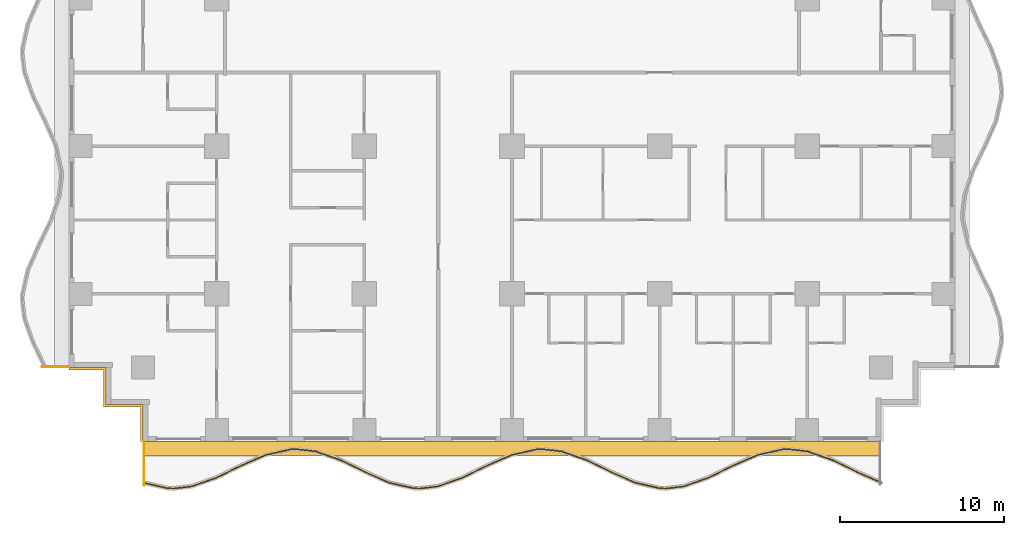
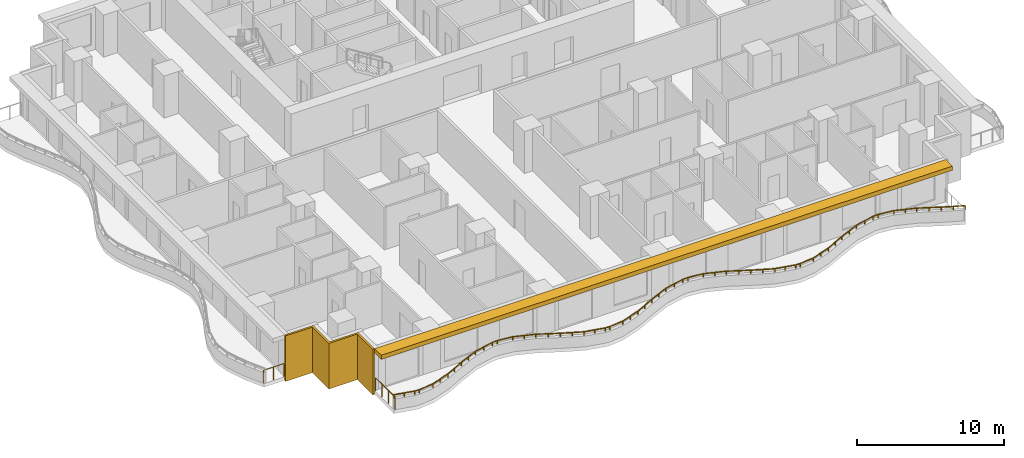
# One storey, part 8 of 14: 3 railings, 2 shading devices.
"""IFC4 building model written with IfcOpenShell, lengths in metres."""

from ifc_helpers import new_model, si_unit, direction, frame, origin, origin_2d, place, context, subcontext, project, spatial, polyline, rectangle, outline, extrude, material, layer, layer_set, type_object, element, save


model = new_model("IFC4")

# Units and contexts
model_context = context("Model", 3, precision=1e-05, world=origin(), true_north=direction((0.0, 1.0)))
body_context = subcontext(model_context, "Body", "Model", "MODEL_VIEW")
ifc_project = project(units=[si_unit("LENGTHUNIT", "METRE"), si_unit("AREAUNIT", "SQUARE_METRE"), si_unit("VOLUMEUNIT", "CUBIC_METRE"), si_unit("PLANEANGLEUNIT", "RADIAN"), si_unit("MASSUNIT", "GRAM", prefix="KILO")], contexts=[model_context])

# Site, building, storey
site_placement = place(None, origin())
site = spatial("IfcSite", under=ifc_project, at=site_placement, CompositionType="ELEMENT")
building_placement = place(site_placement, origin())
building = spatial("IfcBuilding", under=site, at=building_placement, Name="Orbiselva Terraces", CompositionType="ELEMENT")
storey_placement = place(building_placement, frame((0.0, 0.0, 49.2)))
storey = spatial("IfcBuildingStorey", under=building, at=storey_placement, Name="L12", CompositionType="ELEMENT", Elevation=49.2)

# Railings
ifc_material_1 = material(Name="Bonded two-ply safety glass balustrade, stainless steel posts", Category="steel")
railing_type_1 = type_object("IfcRailingType", Name="ENV-BALUSTRADE-1200", PredefinedType="BALUSTRADE", material=ifc_material_1)
railing_1_placement = place(storey_placement, frame((-22.472623, -25.026563, 0.9)))
element("IfcRailing", 1, at=railing_1_placement, inside=storey, type_object=railing_type_1, Name="Balcony balustrade L12 S", PredefinedType="BALUSTRADE", context=body_context, shape_type="SweptSolid", body=[
    extrude(outline(polyline([(0.028868, 0.0), (0.014434, 0.025), (-0.014434, 0.025), (-0.028868, 0.0), (-0.014434, -0.025), (0.014434, -0.025), (0.028868, 0.0)])), frame((0.0, 0.0, 0.275), z_axis=(0.975721322437, -0.21901575501, 0.0), x_axis=(0.21901575501, 0.975721322437, 0.0)), (0.0, 0.0, 1.0), 1.525954),
    extrude(outline(polyline([(0.028868, 0.0), (0.014434, 0.025), (-0.014434, 0.025), (-0.028868, 0.0), (-0.014434, -0.025), (0.014434, -0.025), (0.028868, 0.0)])), frame((1.488906, -0.334208, 0.275), z_axis=(0.999224931454, -0.039364150694, 0.0), x_axis=(0.039364150694, 0.999224931454, 0.0)), (0.0, 0.0, 1.0), 0.354206),
    extrude(outline(polyline([(0.028868, 0.0), (0.014434, 0.025), (-0.014434, 0.025), (-0.028868, 0.0), (-0.014434, -0.025), (0.014434, -0.025), (0.028868, 0.0)])), frame((1.842837, -0.348151, 0.275), z_axis=(0.993309658409, 0.115481264762, 0.0), x_axis=(-0.115481264762, 0.993309658409, 0.0)), (0.0, 0.0, 1.0), 1.10902),
    extrude(outline(polyline([(0.028868, 0.0), (0.014434, 0.025), (-0.014434, 0.025), (-0.028868, 0.0), (-0.014434, -0.025), (0.014434, -0.025), (0.028868, 0.0)])), frame((2.944437, -0.22008, 0.275), z_axis=(0.943972277814, 0.330024754707, 0.0), x_axis=(-0.330024754707, 0.943972277814, 0.0)), (0.0, 0.0, 1.0), 1.567807),
    extrude(outline(polyline([(0.028868, 0.0), (0.014434, 0.025), (-0.014434, 0.025), (-0.028868, 0.0), (-0.014434, -0.025), (0.014434, -0.025), (0.028868, 0.0)])), frame((4.424403, 0.297335, 0.275), z_axis=(0.89857890432, 0.438811978768, 0.0), x_axis=(-0.438811978768, 0.89857890432, 0.0)), (0.0, 0.0, 1.0), 1.66438),
    extrude(outline(polyline([(0.028868, 0.0), (0.014434, 0.025), (-0.014434, 0.025), (-0.028868, 0.0), (-0.014434, -0.025), (0.014434, -0.025), (0.028868, 0.0)])), frame((5.91998, 1.027685, 0.275), z_axis=(0.915133527237, 0.403150874148, 0.0), x_axis=(-0.403150874148, 0.915133527237, 0.0)), (0.0, 0.0, 1.0), 1.653736),
    extrude(outline(polyline([(0.028868, 0.0), (0.014434, 0.025), (-0.014434, 0.025), (-0.028868, 0.0), (-0.014434, -0.025), (0.014434, -0.025), (0.028868, 0.0)])), frame((7.433369, 1.69439, 0.275), z_axis=(0.97572137947, 0.219015500924, 0.0), x_axis=(-0.219015500924, 0.97572137947, 0.0)), (0.0, 0.0, 1.0), 1.560867),
    extrude(outline(polyline([(0.028868, 0.0), (0.014434, 0.025), (-0.014434, 0.025), (-0.028868, 0.0), (-0.014434, -0.025), (0.014434, -0.025), (0.028868, 0.0)])), frame((8.95634, 2.036244, 0.275), z_axis=(0.999224734286, 0.03936915532, 0.0), x_axis=(-0.03936915532, 0.999224734286, 0.0)), (0.0, 0.0, 1.0), 0.396376),
    extrude(outline(polyline([(0.028868, 0.0), (0.014434, 0.025), (-0.014434, 0.025), (-0.028868, 0.0), (-0.014434, -0.025), (0.014434, -0.025), (0.028868, 0.0)])), frame((9.352409, 2.051849, 0.275), z_axis=(0.993309551734, -0.115482182324, 0.0), x_axis=(0.115482182324, 0.993309551734, 0.0)), (0.0, 0.0, 1.0), 1.156135),
    extrude(outline(polyline([(0.028868, 0.0), (0.014434, 0.025), (-0.014434, 0.025), (-0.028868, 0.0), (-0.014434, -0.025), (0.014434, -0.025), (0.028868, 0.0)])), frame((10.500809, 1.918336, 0.275), z_axis=(0.943972332783, -0.330024597479, 0.0), x_axis=(0.330024597479, 0.943972332783, 0.0)), (0.0, 0.0, 1.0), 1.610253),
    extrude(outline(polyline([(0.028868, 0.0), (0.014434, 0.025), (-0.014434, 0.025), (-0.028868, 0.0), (-0.014434, -0.025), (0.014434, -0.025), (0.028868, 0.0)])), frame((12.020843, 1.386913, 0.275), z_axis=(0.898578870221, -0.438812048596, 0.0), x_axis=(0.438812048596, 0.898578870221, 0.0)), (0.0, 0.0, 1.0), 1.674225),
    extrude(outline(polyline([(0.028868, 0.0), (0.014434, 0.025), (-0.014434, 0.025), (-0.028868, 0.0), (-0.014434, -0.025), (0.014434, -0.025), (0.028868, 0.0)])), frame((13.525266, 0.652243, 0.275), z_axis=(0.915133363686, -0.403151245402, 0.0), x_axis=(0.403151245402, 0.915133363686, 0.0)), (0.0, 0.0, 1.0), 1.624475),
    extrude(outline(polyline([(0.028868, 0.0), (0.014434, 0.025), (-0.014434, 0.025), (-0.028868, 0.0), (-0.014434, -0.025), (0.014434, -0.025), (0.028868, 0.0)])), frame((15.011877, -0.002666, 0.275), z_axis=(0.975721325753, -0.219015740235, 0.0), x_axis=(0.219015740235, 0.975721325753, 0.0)), (0.0, 0.0, 1.0), 1.513782),
    extrude(outline(polyline([(0.028868, 0.0), (0.014434, 0.025), (-0.014434, 0.025), (-0.028868, 0.0), (-0.014434, -0.025), (0.014434, -0.025), (0.028868, 0.0)])), frame((16.488906, -0.334208, 0.275), z_axis=(0.999224931454, -0.039364150694, 0.0), x_axis=(0.039364150694, 0.999224931454, 0.0)), (0.0, 0.0, 1.0), 0.354206),
    extrude(outline(polyline([(0.028868, 0.0), (0.014434, 0.025), (-0.014434, 0.025), (-0.028868, 0.0), (-0.014434, -0.025), (0.014434, -0.025), (0.028868, 0.0)])), frame((16.842837, -0.348151, 0.275), z_axis=(0.993309658409, 0.115481264762, 0.0), x_axis=(-0.115481264762, 0.993309658409, 0.0)), (0.0, 0.0, 1.0), 1.10902),
    extrude(outline(polyline([(0.028868, 0.0), (0.014434, 0.025), (-0.014434, 0.025), (-0.028868, 0.0), (-0.014434, -0.025), (0.014434, -0.025), (0.028868, 0.0)])), frame((17.944437, -0.22008, 0.275), z_axis=(0.943972277814, 0.330024754707, 0.0), x_axis=(-0.330024754707, 0.943972277814, 0.0)), (0.0, 0.0, 1.0), 1.567807),
    extrude(outline(polyline([(0.028868, 0.0), (0.014434, 0.025), (-0.014434, 0.025), (-0.028868, 0.0), (-0.014434, -0.025), (0.014434, -0.025), (0.028868, 0.0)])), frame((19.424403, 0.297335, 0.275), z_axis=(0.89857890432, 0.438811978768, 0.0), x_axis=(-0.438811978768, 0.89857890432, 0.0)), (0.0, 0.0, 1.0), 1.66438),
    extrude(outline(polyline([(0.028868, 0.0), (0.014434, 0.025), (-0.014434, 0.025), (-0.028868, 0.0), (-0.014434, -0.025), (0.014434, -0.025), (0.028868, 0.0)])), frame((20.91998, 1.027685, 0.275), z_axis=(0.915133527237, 0.403150874148, 0.0), x_axis=(-0.403150874148, 0.915133527237, 0.0)), (0.0, 0.0, 1.0), 1.653736),
    extrude(outline(polyline([(0.028868, 0.0), (0.014434, 0.025), (-0.014434, 0.025), (-0.028868, 0.0), (-0.014434, -0.025), (0.014434, -0.025), (0.028868, 0.0)])), frame((22.433369, 1.69439, 0.275), z_axis=(0.97572137947, 0.219015500924, 0.0), x_axis=(-0.219015500924, 0.97572137947, 0.0)), (0.0, 0.0, 1.0), 1.560867),
    extrude(outline(polyline([(0.028868, 0.0), (0.014434, 0.025), (-0.014434, 0.025), (-0.028868, 0.0), (-0.014434, -0.025), (0.014434, -0.025), (0.028868, 0.0)])), frame((23.95634, 2.036244, 0.275), z_axis=(0.999224734286, 0.03936915532, 0.0), x_axis=(-0.03936915532, 0.999224734286, 0.0)), (0.0, 0.0, 1.0), 0.396376),
    extrude(outline(polyline([(0.028868, 0.0), (0.014434, 0.025), (-0.014434, 0.025), (-0.028868, 0.0), (-0.014434, -0.025), (0.014434, -0.025), (0.028868, 0.0)])), frame((24.352409, 2.051849, 0.275), z_axis=(0.993309551734, -0.115482182324, 0.0), x_axis=(0.115482182324, 0.993309551734, 0.0)), (0.0, 0.0, 1.0), 1.156135),
    extrude(outline(polyline([(0.028868, 0.0), (0.014434, 0.025), (-0.014434, 0.025), (-0.028868, 0.0), (-0.014434, -0.025), (0.014434, -0.025), (0.028868, 0.0)])), frame((25.500809, 1.918336, 0.275), z_axis=(0.943972332783, -0.330024597479, 0.0), x_axis=(0.330024597479, 0.943972332783, 0.0)), (0.0, 0.0, 1.0), 1.610253),
    extrude(outline(polyline([(0.028868, 0.0), (0.014434, 0.025), (-0.014434, 0.025), (-0.028868, 0.0), (-0.014434, -0.025), (0.014434, -0.025), (0.028868, 0.0)])), frame((27.020843, 1.386913, 0.275), z_axis=(0.898578870221, -0.438812048596, 0.0), x_axis=(0.438812048596, 0.898578870221, 0.0)), (0.0, 0.0, 1.0), 1.674225),
    extrude(outline(polyline([(0.028868, 0.0), (0.014434, 0.025), (-0.014434, 0.025), (-0.028868, 0.0), (-0.014434, -0.025), (0.014434, -0.025), (0.028868, 0.0)])), frame((28.525266, 0.652243, 0.275), z_axis=(0.915133363686, -0.403151245402, 0.0), x_axis=(0.403151245402, 0.915133363686, 0.0)), (0.0, 0.0, 1.0), 1.624475),
    extrude(outline(polyline([(0.028868, 0.0), (0.014434, 0.025), (-0.014434, 0.025), (-0.028868, 0.0), (-0.014434, -0.025), (0.014434, -0.025), (0.028868, 0.0)])), frame((30.011877, -0.002666, 0.275), z_axis=(0.975721325753, -0.219015740235, 0.0), x_axis=(0.219015740235, 0.975721325753, 0.0)), (0.0, 0.0, 1.0), 1.513782),
    extrude(outline(polyline([(0.028868, 0.0), (0.014434, 0.025), (-0.014434, 0.025), (-0.028868, 0.0), (-0.014434, -0.025), (0.014434, -0.025), (0.028868, 0.0)])), frame((31.488906, -0.334208, 0.275), z_axis=(0.999224931454, -0.039364150694, 0.0), x_axis=(0.039364150694, 0.999224931454, 0.0)), (0.0, 0.0, 1.0), 0.354206),
    extrude(outline(polyline([(0.028868, 0.0), (0.014434, 0.025), (-0.014434, 0.025), (-0.028868, 0.0), (-0.014434, -0.025), (0.014434, -0.025), (0.028868, 0.0)])), frame((31.842837, -0.348151, 0.275), z_axis=(0.993309658409, 0.115481264762, 0.0), x_axis=(-0.115481264762, 0.993309658409, 0.0)), (0.0, 0.0, 1.0), 1.10902),
    extrude(outline(polyline([(0.028868, 0.0), (0.014434, 0.025), (-0.014434, 0.025), (-0.028868, 0.0), (-0.014434, -0.025), (0.014434, -0.025), (0.028868, 0.0)])), frame((32.944437, -0.22008, 0.275), z_axis=(0.943972277814, 0.330024754707, 0.0), x_axis=(-0.330024754707, 0.943972277814, 0.0)), (0.0, 0.0, 1.0), 1.567807),
    extrude(outline(polyline([(0.028868, 0.0), (0.014434, 0.025), (-0.014434, 0.025), (-0.028868, 0.0), (-0.014434, -0.025), (0.014434, -0.025), (0.028868, 0.0)])), frame((34.424403, 0.297335, 0.275), z_axis=(0.89857890432, 0.438811978768, 0.0), x_axis=(-0.438811978768, 0.89857890432, 0.0)), (0.0, 0.0, 1.0), 1.66438),
    extrude(outline(polyline([(0.028868, 0.0), (0.014434, 0.025), (-0.014434, 0.025), (-0.028868, 0.0), (-0.014434, -0.025), (0.014434, -0.025), (0.028868, 0.0)])), frame((35.91998, 1.027685, 0.275), z_axis=(0.915133527237, 0.403150874148, 0.0), x_axis=(-0.403150874148, 0.915133527237, 0.0)), (0.0, 0.0, 1.0), 1.653736),
    extrude(outline(polyline([(0.028868, 0.0), (0.014434, 0.025), (-0.014434, 0.025), (-0.028868, 0.0), (-0.014434, -0.025), (0.014434, -0.025), (0.028868, 0.0)])), frame((37.433369, 1.69439, 0.275), z_axis=(0.97572137947, 0.219015500924, 0.0), x_axis=(-0.219015500924, 0.97572137947, 0.0)), (0.0, 0.0, 1.0), 1.560867),
    extrude(outline(polyline([(0.028868, 0.0), (0.014434, 0.025), (-0.014434, 0.025), (-0.028868, 0.0), (-0.014434, -0.025), (0.014434, -0.025), (0.028868, 0.0)])), frame((38.95634, 2.036244, 0.275), z_axis=(0.999224734286, 0.03936915532, 0.0), x_axis=(-0.03936915532, 0.999224734286, 0.0)), (0.0, 0.0, 1.0), 0.396376),
    extrude(outline(polyline([(0.028868, 0.0), (0.014434, 0.025), (-0.014434, 0.025), (-0.028868, 0.0), (-0.014434, -0.025), (0.014434, -0.025), (0.028868, 0.0)])), frame((39.352409, 2.051849, 0.275), z_axis=(0.993309551734, -0.115482182324, 0.0), x_axis=(0.115482182324, 0.993309551734, 0.0)), (0.0, 0.0, 1.0), 1.156135),
    extrude(outline(polyline([(0.028868, 0.0), (0.014434, 0.025), (-0.014434, 0.025), (-0.028868, 0.0), (-0.014434, -0.025), (0.014434, -0.025), (0.028868, 0.0)])), frame((40.500809, 1.918336, 0.275), z_axis=(0.943972332783, -0.330024597479, 0.0), x_axis=(0.330024597479, 0.943972332783, 0.0)), (0.0, 0.0, 1.0), 1.610253),
    extrude(outline(polyline([(0.028868, 0.0), (0.014434, 0.025), (-0.014434, 0.025), (-0.028868, 0.0), (-0.014434, -0.025), (0.014434, -0.025), (0.028868, 0.0)])), frame((42.020843, 1.386913, 0.275), z_axis=(0.898578870221, -0.438812048596, 0.0), x_axis=(0.438812048596, 0.898578870221, 0.0)), (0.0, 0.0, 1.0), 1.674225),
    extrude(outline(polyline([(0.028868, 0.0), (0.014434, 0.025), (-0.014434, 0.025), (-0.028868, 0.0), (-0.014434, -0.025), (0.014434, -0.025), (0.028868, 0.0)])), frame((43.525266, 0.652243, 0.275), z_axis=(0.915133498047, -0.403150940408, 0.0), x_axis=(0.403150940408, 0.915133498047, 0.0)), (0.0, 0.0, 1.0), 1.636648),
    extrude(rectangle(XDim=0.05, YDim=0.05, at=origin_2d()), origin(), (0.0, 0.0, 1.0), 0.25),
    extrude(rectangle(XDim=0.05, YDim=0.05, at=origin_2d()), frame((0.744453, -0.167104, 0.0)), (0.0, 0.0, 1.0), 0.25),
    extrude(rectangle(XDim=0.05, YDim=0.05, at=origin_2d()), frame((1.488906, -0.334208, 0.0)), (0.0, 0.0, 1.0), 0.25),
    extrude(rectangle(XDim=0.05, YDim=0.05, at=origin_2d()), frame((1.842837, -0.348151, 0.0)), (0.0, 0.0, 1.0), 0.25),
    extrude(rectangle(XDim=0.05, YDim=0.05, at=origin_2d()), frame((2.944437, -0.22008, 0.0)), (0.0, 0.0, 1.0), 0.25),
    extrude(rectangle(XDim=0.05, YDim=0.05, at=origin_2d()), frame((3.68442, 0.038628, 0.0)), (0.0, 0.0, 1.0), 0.25),
    extrude(rectangle(XDim=0.05, YDim=0.05, at=origin_2d()), frame((4.424403, 0.297335, 0.0)), (0.0, 0.0, 1.0), 0.25),
    extrude(rectangle(XDim=0.05, YDim=0.05, at=origin_2d()), frame((5.172191, 0.66251, 0.0)), (0.0, 0.0, 1.0), 0.25),
    extrude(rectangle(XDim=0.05, YDim=0.05, at=origin_2d()), frame((5.91998, 1.027685, 0.0)), (0.0, 0.0, 1.0), 0.25),
    extrude(rectangle(XDim=0.05, YDim=0.05, at=origin_2d()), frame((6.676674, 1.361037, 0.0)), (0.0, 0.0, 1.0), 0.25),
    extrude(rectangle(XDim=0.05, YDim=0.05, at=origin_2d()), frame((7.433369, 1.69439, 0.0)), (0.0, 0.0, 1.0), 0.25),
    extrude(rectangle(XDim=0.05, YDim=0.05, at=origin_2d()), frame((8.194854, 1.865317, 0.0)), (0.0, 0.0, 1.0), 0.25),
    extrude(rectangle(XDim=0.05, YDim=0.05, at=origin_2d()), frame((8.95634, 2.036244, 0.0)), (0.0, 0.0, 1.0), 0.25),
    extrude(rectangle(XDim=0.05, YDim=0.05, at=origin_2d()), frame((9.352409, 2.051849, 0.0)), (0.0, 0.0, 1.0), 0.25),
    extrude(rectangle(XDim=0.05, YDim=0.05, at=origin_2d()), frame((10.500809, 1.918336, 0.0)), (0.0, 0.0, 1.0), 0.25),
    extrude(rectangle(XDim=0.05, YDim=0.05, at=origin_2d()), frame((11.260826, 1.652624, 0.0)), (0.0, 0.0, 1.0), 0.25),
    extrude(rectangle(XDim=0.05, YDim=0.05, at=origin_2d()), frame((12.020843, 1.386913, 0.0)), (0.0, 0.0, 1.0), 0.25),
    extrude(rectangle(XDim=0.05, YDim=0.05, at=origin_2d()), frame((12.773054, 1.019578, 0.0)), (0.0, 0.0, 1.0), 0.25),
    extrude(rectangle(XDim=0.05, YDim=0.05, at=origin_2d()), frame((13.525266, 0.652243, 0.0)), (0.0, 0.0, 1.0), 0.25),
    extrude(rectangle(XDim=0.05, YDim=0.05, at=origin_2d()), frame((14.268571, 0.324788, 0.0)), (0.0, 0.0, 1.0), 0.25),
    extrude(rectangle(XDim=0.05, YDim=0.05, at=origin_2d()), frame((15.011877, -0.002666, 0.0)), (0.0, 0.0, 1.0), 0.25),
    extrude(rectangle(XDim=0.05, YDim=0.05, at=origin_2d()), frame((15.750392, -0.168437, 0.0)), (0.0, 0.0, 1.0), 0.25),
    extrude(rectangle(XDim=0.05, YDim=0.05, at=origin_2d()), frame((16.488906, -0.334208, 0.0)), (0.0, 0.0, 1.0), 0.25),
    extrude(rectangle(XDim=0.05, YDim=0.05, at=origin_2d()), frame((16.842837, -0.348151, 0.0)), (0.0, 0.0, 1.0), 0.25),
    extrude(rectangle(XDim=0.05, YDim=0.05, at=origin_2d()), frame((17.944437, -0.22008, 0.0)), (0.0, 0.0, 1.0), 0.25),
    extrude(rectangle(XDim=0.05, YDim=0.05, at=origin_2d()), frame((18.68442, 0.038628, 0.0)), (0.0, 0.0, 1.0), 0.25),
    extrude(rectangle(XDim=0.05, YDim=0.05, at=origin_2d()), frame((19.424403, 0.297335, 0.0)), (0.0, 0.0, 1.0), 0.25),
    extrude(rectangle(XDim=0.05, YDim=0.05, at=origin_2d()), frame((20.172191, 0.66251, 0.0)), (0.0, 0.0, 1.0), 0.25),
    extrude(rectangle(XDim=0.05, YDim=0.05, at=origin_2d()), frame((20.91998, 1.027685, 0.0)), (0.0, 0.0, 1.0), 0.25),
    extrude(rectangle(XDim=0.05, YDim=0.05, at=origin_2d()), frame((21.676674, 1.361037, 0.0)), (0.0, 0.0, 1.0), 0.25),
    extrude(rectangle(XDim=0.05, YDim=0.05, at=origin_2d()), frame((22.433369, 1.69439, 0.0)), (0.0, 0.0, 1.0), 0.25),
    extrude(rectangle(XDim=0.05, YDim=0.05, at=origin_2d()), frame((23.194854, 1.865317, 0.0)), (0.0, 0.0, 1.0), 0.25),
    extrude(rectangle(XDim=0.05, YDim=0.05, at=origin_2d()), frame((23.95634, 2.036244, 0.0)), (0.0, 0.0, 1.0), 0.25),
    extrude(rectangle(XDim=0.05, YDim=0.05, at=origin_2d()), frame((24.352409, 2.051849, 0.0)), (0.0, 0.0, 1.0), 0.25),
    extrude(rectangle(XDim=0.05, YDim=0.05, at=origin_2d()), frame((25.500809, 1.918336, 0.0)), (0.0, 0.0, 1.0), 0.25),
    extrude(rectangle(XDim=0.05, YDim=0.05, at=origin_2d()), frame((26.260826, 1.652624, 0.0)), (0.0, 0.0, 1.0), 0.25),
    extrude(rectangle(XDim=0.05, YDim=0.05, at=origin_2d()), frame((27.020843, 1.386913, 0.0)), (0.0, 0.0, 1.0), 0.25),
    extrude(rectangle(XDim=0.05, YDim=0.05, at=origin_2d()), frame((27.773054, 1.019578, 0.0)), (0.0, 0.0, 1.0), 0.25),
    extrude(rectangle(XDim=0.05, YDim=0.05, at=origin_2d()), frame((28.525266, 0.652243, 0.0)), (0.0, 0.0, 1.0), 0.25),
    extrude(rectangle(XDim=0.05, YDim=0.05, at=origin_2d()), frame((29.268572, 0.324788, 0.0)), (0.0, 0.0, 1.0), 0.25),
    extrude(rectangle(XDim=0.05, YDim=0.05, at=origin_2d()), frame((30.011877, -0.002666, 0.0)), (0.0, 0.0, 1.0), 0.25),
    extrude(rectangle(XDim=0.05, YDim=0.05, at=origin_2d()), frame((30.750392, -0.168437, 0.0)), (0.0, 0.0, 1.0), 0.25),
    extrude(rectangle(XDim=0.05, YDim=0.05, at=origin_2d()), frame((31.488906, -0.334208, 0.0)), (0.0, 0.0, 1.0), 0.25),
    extrude(rectangle(XDim=0.05, YDim=0.05, at=origin_2d()), frame((31.842837, -0.348151, 0.0)), (0.0, 0.0, 1.0), 0.25),
    extrude(rectangle(XDim=0.05, YDim=0.05, at=origin_2d()), frame((32.944437, -0.22008, 0.0)), (0.0, 0.0, 1.0), 0.25),
    extrude(rectangle(XDim=0.05, YDim=0.05, at=origin_2d()), frame((33.68442, 0.038628, 0.0)), (0.0, 0.0, 1.0), 0.25),
    extrude(rectangle(XDim=0.05, YDim=0.05, at=origin_2d()), frame((34.424403, 0.297335, 0.0)), (0.0, 0.0, 1.0), 0.25),
    extrude(rectangle(XDim=0.05, YDim=0.05, at=origin_2d()), frame((35.172192, 0.66251, 0.0)), (0.0, 0.0, 1.0), 0.25),
    extrude(rectangle(XDim=0.05, YDim=0.05, at=origin_2d()), frame((35.91998, 1.027685, 0.0)), (0.0, 0.0, 1.0), 0.25),
    extrude(rectangle(XDim=0.05, YDim=0.05, at=origin_2d()), frame((36.676674, 1.361037, 0.0)), (0.0, 0.0, 1.0), 0.25),
    extrude(rectangle(XDim=0.05, YDim=0.05, at=origin_2d()), frame((37.433369, 1.69439, 0.0)), (0.0, 0.0, 1.0), 0.25),
    extrude(rectangle(XDim=0.05, YDim=0.05, at=origin_2d()), frame((38.194854, 1.865317, 0.0)), (0.0, 0.0, 1.0), 0.25),
    extrude(rectangle(XDim=0.05, YDim=0.05, at=origin_2d()), frame((38.95634, 2.036244, 0.0)), (0.0, 0.0, 1.0), 0.25),
    extrude(rectangle(XDim=0.05, YDim=0.05, at=origin_2d()), frame((39.352409, 2.051849, 0.0)), (0.0, 0.0, 1.0), 0.25),
    extrude(rectangle(XDim=0.05, YDim=0.05, at=origin_2d()), frame((40.500809, 1.918336, 0.0)), (0.0, 0.0, 1.0), 0.25),
    extrude(rectangle(XDim=0.05, YDim=0.05, at=origin_2d()), frame((41.260826, 1.652624, 0.0)), (0.0, 0.0, 1.0), 0.25),
    extrude(rectangle(XDim=0.05, YDim=0.05, at=origin_2d()), frame((42.020843, 1.386913, 0.0)), (0.0, 0.0, 1.0), 0.25),
    extrude(rectangle(XDim=0.05, YDim=0.05, at=origin_2d()), frame((42.773054, 1.019578, 0.0)), (0.0, 0.0, 1.0), 0.25),
    extrude(rectangle(XDim=0.05, YDim=0.05, at=origin_2d()), frame((43.525266, 0.652243, 0.0)), (0.0, 0.0, 1.0), 0.25),
    extrude(rectangle(XDim=0.05, YDim=0.05, at=origin_2d()), frame((44.274142, 0.322335, 0.0)), (0.0, 0.0, 1.0), 0.25),
    extrude(rectangle(XDim=0.05, YDim=0.05, at=origin_2d()), frame((45.023017, -0.007573, 0.0)), (0.0, 0.0, 1.0), 0.25),
])
ifc_material_2 = material(Name="Stainless steel rail and posts", Category="steel")
railing_type_2 = type_object("IfcRailingType", Name="ENV-GUARD-1105", PredefinedType="BALUSTRADE", material=ifc_material_2)
railing_2_placement = place(storey_placement, frame((-22.44, -25.169584, 0.0)))
element("IfcRailing", 2, at=railing_2_placement, inside=storey, type_object=railing_type_2, Name="Balcony end guard L12 S", PredefinedType="BALUSTRADE", context=body_context, shape_type="SweptSolid", body=[
    extrude(outline(polyline([(0.028868, 0.0), (0.014434, 0.025), (-0.014434, 0.025), (-0.028868, 0.0), (-0.014434, -0.025), (0.014434, -0.025), (0.028868, 0.0)])), frame((0.0, 0.0, 1.08), z_axis=(0.0, 1.0, 0.0), x_axis=(-1.0, 0.0, 0.0)), (0.0, 0.0, 1.0), 2.644584),
    extrude(rectangle(XDim=0.05, YDim=0.05, at=origin_2d()), origin(), (0.0, 0.0, 1.0), 1.055),
    extrude(rectangle(XDim=0.05, YDim=0.05, at=origin_2d()), frame((0.0, 0.881528, 0.0)), (0.0, 0.0, 1.0), 1.055),
    extrude(rectangle(XDim=0.05, YDim=0.05, at=origin_2d()), frame((0.0, 1.763056, 0.0)), (0.0, 0.0, 1.0), 1.055),
    extrude(rectangle(XDim=0.05, YDim=0.05, at=origin_2d()), frame((0.0, 2.644584, 0.0)), (0.0, 0.0, 1.0), 1.055),
])
railing_3_placement = place(storey_placement, frame((-28.642123, -17.94, 0.0)))
element("IfcRailing", 3, at=railing_3_placement, inside=storey, type_object=railing_type_2, Name="Balcony end guard L12 W", PredefinedType="BALUSTRADE", context=body_context, shape_type="SweptSolid", body=[
    extrude(outline(polyline([(0.028868, 0.0), (0.014434, 0.025), (-0.014434, 0.025), (-0.028868, 0.0), (-0.014434, -0.025), (0.014434, -0.025), (0.028868, 0.0)])), frame((0.0, 0.0, 1.08), z_axis=(1.0, 0.0, 0.0), x_axis=(0.0, 1.0, 0.0)), (0.0, 0.0, 1.0), 1.617123),
    extrude(rectangle(XDim=0.05, YDim=0.05, at=origin_2d()), origin(), (0.0, 0.0, 1.0), 1.055),
    extrude(rectangle(XDim=0.05, YDim=0.05, at=origin_2d()), frame((0.808562, 0.0, 0.0)), (0.0, 0.0, 1.0), 1.055),
    extrude(rectangle(XDim=0.05, YDim=0.05, at=origin_2d()), frame((1.617123, 0.0, 0.0)), (0.0, 0.0, 1.0), 1.055),
])

# Shading devices
ifc_material_3 = material(Name="Terracotta louvre screen", Category="masonry")
ifc_layer_1 = layer(ifc_material_3, 0.15)
ifc_layer_set_1 = layer_set([ifc_layer_1], Name="Terracotta louvre screen")
shading_device_type_1 = type_object("IfcShadingDeviceType", Name="ENV-SCREEN-150", PredefinedType="USERDEFINED", material=ifc_layer_set_1)
shading_device_1_placement = place(storey_placement, frame((0.0, 0.0, -0.3)))
element("IfcShadingDevice", 4, at=shading_device_1_placement, inside=storey, type_object=shading_device_type_1, Name="Louvre screen L12 SW", ObjectType="SCREEN", PredefinedType="USERDEFINED", context=body_context, shape_type="SweptSolid", body=[
    extrude(outline(polyline([(-27.0, -18.15), (-24.9, -18.15), (-24.9, -20.4), (-22.65, -20.4), (-22.65, -22.5), (-22.5, -22.5), (-22.5, -20.25), (-24.75, -20.25), (-24.75, -18.0), (-27.0, -18.0), (-27.0, -18.15)])), origin(), (0.0, 0.0, 1.0), 3.8),
])
ifc_material_4 = material(Name="Terracotta baguette sunshade", Category="masonry")
ifc_layer_2 = layer(ifc_material_4, 0.35)
ifc_layer_set_2 = layer_set([ifc_layer_2], Name="Terracotta baguette sunshade")
shading_device_type_2 = type_object("IfcShadingDeviceType", Name="ENV-SUNSHADE-900x350", PredefinedType="USERDEFINED", material=ifc_layer_set_2)
shading_device_2_placement = place(storey_placement, frame((0.0, 0.0, 3.15)))
element("IfcShadingDevice", 5, at=shading_device_2_placement, inside=storey, type_object=shading_device_type_2, Name="Sunshade band L12 S", ObjectType="SUNSHADE", PredefinedType="USERDEFINED", context=body_context, shape_type="SweptSolid", body=[
    extrude(outline(polyline([(-22.5, -23.4), (22.5, -23.4), (22.5, -22.5), (-22.5, -22.5), (-22.5, -23.4)])), origin(), (0.0, 0.0, 1.0), 0.35),
])

save(model, "model.ifc")
